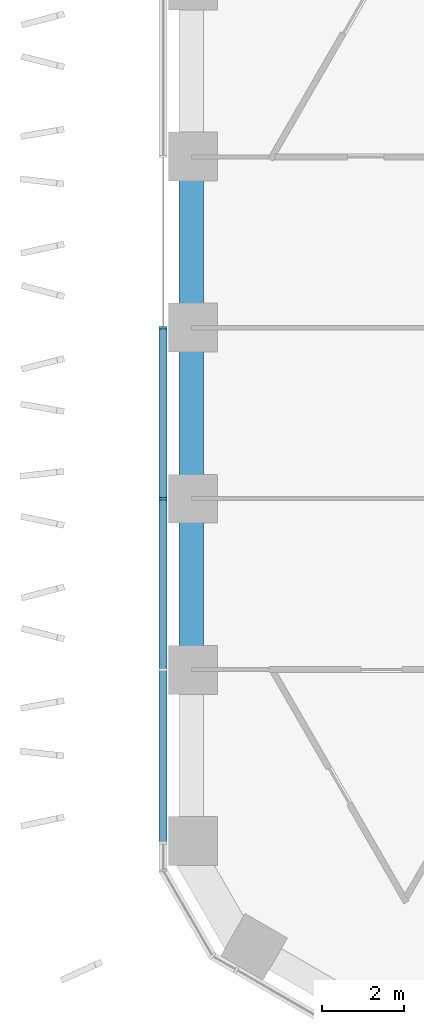
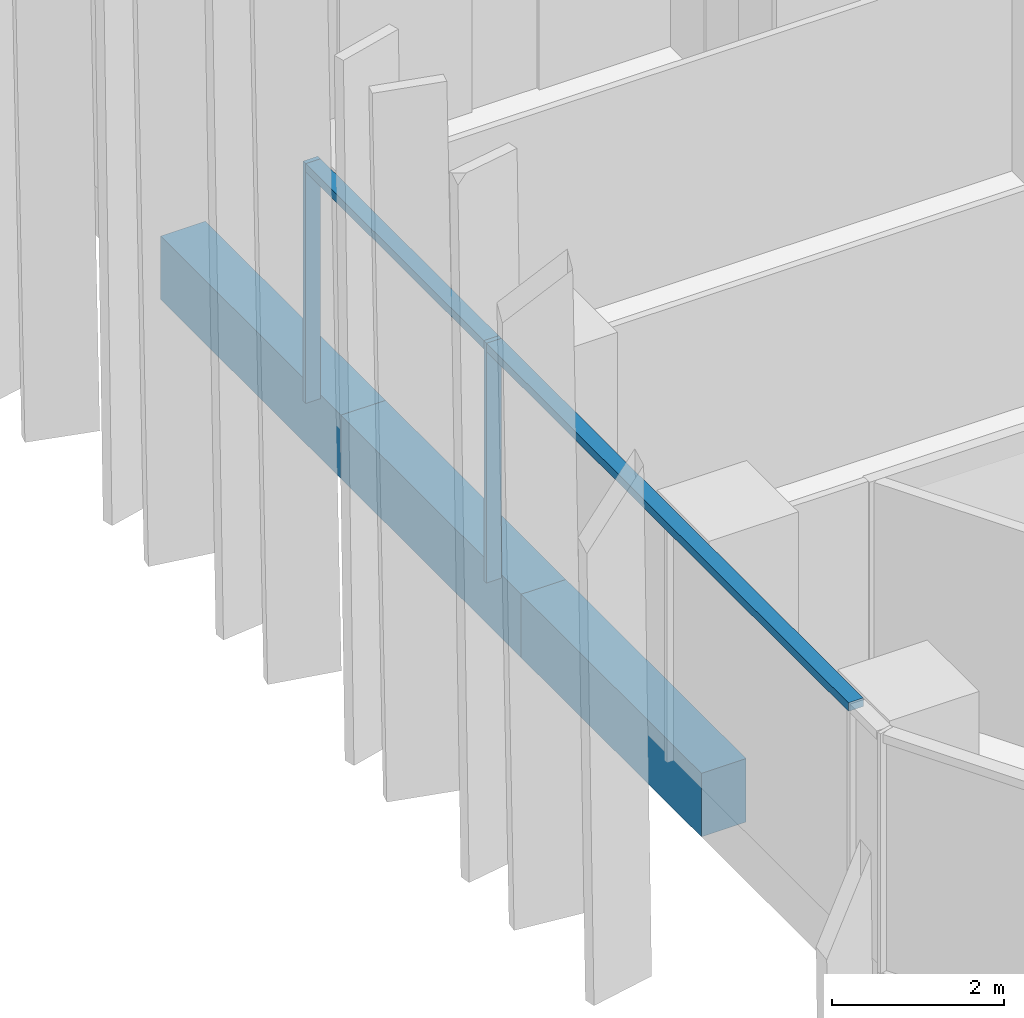
# One storey, part 4 of 19: 3 beams, 3 members, 1 element without a shape of its own.
"""IFC4 building model written with IfcOpenShell, lengths in metres."""

from ifc_helpers import new_model, si_unit, direction, frame, origin, origin_2d, place, context, subcontext, project, spatial, rectangle, extrude, material, layer, layer_set, material_profile, profile_set, type_object, element, aggregate, save


model = new_model("IFC4")

# Units and contexts
model_context = context("Model", 3, precision=1e-05, world=origin(), true_north=direction((0.0, 1.0)))
body_context = subcontext(model_context, "Body", "Model", "MODEL_VIEW")
ifc_project = project(units=[si_unit("LENGTHUNIT", "METRE"), si_unit("AREAUNIT", "SQUARE_METRE"), si_unit("VOLUMEUNIT", "CUBIC_METRE"), si_unit("PLANEANGLEUNIT", "RADIAN"), si_unit("MASSUNIT", "GRAM", prefix="KILO")], contexts=[model_context])

# Site, building, storey
site_placement = place(None, origin())
site = spatial("IfcSite", under=ifc_project, at=site_placement, CompositionType="ELEMENT")
building_placement = place(site_placement, origin())
building = spatial("IfcBuilding", under=site, at=building_placement, Name="Ayvan Gate Tower", CompositionType="ELEMENT")
storey_placement = place(building_placement, frame((0.0, 0.0, 45.89990234375)))
storey = spatial("IfcBuildingStorey", under=building, at=storey_placement, Name="L11", CompositionType="ELEMENT", Elevation=45.89990234375)

# Beams
ifc_material_1 = material(Name="Concrete C40/50", Category="concrete")
ifc_material_profile_1 = material_profile(ifc_material_1, rectangle(XDim=0.60009765625, YDim=0.89990234375, at=origin_2d()), Name="RC 600x900")
ifc_profile_set_1 = profile_set([ifc_material_profile_1], Name="Concrete C40/50")
beam_type = type_object("IfcBeamType", Name="Spandrel beam RC 600x900 C40/50", PredefinedType="BEAM", material=ifc_profile_set_1)
beam_1_placement = place(storey_placement, frame((-20.4423828125, 6.279296875, -0.7998046875), z_axis=(0.0, -1.0, 0.0), x_axis=(1.0, 0.0, 0.0)))
element("IfcBeam", 1, at=beam_1_placement, inside=storey, type_object=beam_type, Name="SB-L11-20", PredefinedType="BEAM", context=body_context, shape_type="SweptSolid", body=[
    extrude(rectangle(XDim=0.60009765625, YDim=0.89990234375, at=origin_2d()), origin(), (0.0, 0.0, 1.0), 4.186279296875),
])
beam_2_placement = place(storey_placement, frame((-20.4423828125, 2.093017578125, -0.7998046875), z_axis=(0.0, -1.0, 0.0), x_axis=(1.0, 0.0, 0.0)))
element("IfcBeam", 2, at=beam_2_placement, inside=storey, type_object=beam_type, Name="SB-L11-21", PredefinedType="BEAM", context=body_context, shape_type="SweptSolid", body=[
    extrude(rectangle(XDim=0.60009765625, YDim=0.89990234375, at=origin_2d()), origin(), (0.0, 0.0, 1.0), 4.18603515625),
])
beam_3_placement = place(storey_placement, frame((-20.4423828125, -2.093017578125, -0.7998046875), z_axis=(0.0, -1.0, 0.0), x_axis=(1.0, 0.0, 0.0)))
element("IfcBeam", 3, at=beam_3_placement, inside=storey, type_object=beam_type, Name="SB-L11-22", PredefinedType="BEAM", context=body_context, shape_type="SweptSolid", body=[
    extrude(rectangle(XDim=0.60009765625, YDim=0.89990234375, at=origin_2d()), origin(), (0.0, 0.0, 1.0), 4.186279296875),
])

# Curtain wall, members
ifc_material_2 = material(Name="Bronze anodised aluminium", Category="aluminium")
ifc_layer = layer(ifc_material_2, 0.199951171875)
ifc_layer_set = layer_set([ifc_layer], Name="Bronze anodised aluminium")
curtain_wall_type = type_object("IfcCurtainWallType", Name="Stick curtain wall CW-1", PredefinedType="NOTDEFINED", material=ifc_layer_set)
curtain_wall_placement = place(storey_placement, origin())
curtain_wall = element("IfcCurtainWall", 4, at=curtain_wall_placement, inside=storey, type_object=curtain_wall_type, Name="Stick curtain wall CW-1 L11", PredefinedType="NOTDEFINED")
ifc_material_profile_2 = material_profile(ifc_material_2, rectangle(XDim=0.199951171875, YDim=0.06005859375, at=origin_2d()), Name="Stick curtain wall CW-1 mullion 200 x 60")
ifc_profile_set_2 = profile_set([ifc_material_profile_2], Name="Bronze anodised aluminium")
member_type_1 = type_object("IfcMemberType", Name="Stick curtain wall CW-1 mullion 200 x 60", PredefinedType="MULLION", material=ifc_profile_set_2)
member_1_placement = place(storey_placement, frame((-21.12841796875, 2.09765625, 0.0), z_axis=(0.0, 0.0, 1.0), x_axis=(-1.0, 0.0, 0.0)))
member_1 = element("IfcMember", 5, at=member_1_placement, type_object=member_type_1, Name="CW-1 mullion 3", PredefinedType="MULLION", context=body_context, shape_type="SweptSolid", body=[
    extrude(rectangle(XDim=0.199951171875, YDim=0.06005859375, at=origin_2d()), origin(), (0.0, 0.0, 1.0), 3.400146484375),
])
member_2_placement = place(storey_placement, frame((-21.12841796875, -2.098388671875, 0.0), z_axis=(0.0, 0.0, 1.0), x_axis=(-1.0, 0.0, 0.0)))
member_2 = element("IfcMember", 6, at=member_2_placement, type_object=member_type_1, Name="CW-1 mullion 4", PredefinedType="MULLION", context=body_context, shape_type="SweptSolid", body=[
    extrude(rectangle(XDim=0.199951171875, YDim=0.06005859375, at=origin_2d()), origin(), (0.0, 0.0, 1.0), 3.400146484375),
])
ifc_material_profile_3 = material_profile(ifc_material_2, rectangle(XDim=0.199951171875, YDim=0.1201171875, at=origin_2d()), Name="Stick curtain wall CW-1 transom 200 x 120")
ifc_profile_set_3 = profile_set([ifc_material_profile_3], Name="Bronze anodised aluminium")
member_type_2 = type_object("IfcMemberType", Name="Stick curtain wall CW-1 transom 200 x 120", PredefinedType="USERDEFINED", material=ifc_profile_set_3)
member_3_placement = place(storey_placement, frame((-21.12841796875, 2.067626953125, 3.340087890625), z_axis=(0.0, -1.0, 0.0), x_axis=(1.0, 0.0, 0.0)))
member_3 = element("IfcMember", 7, at=member_3_placement, type_object=member_type_2, Name="CW-1 transom 2", ObjectType="TRANSOM", PredefinedType="USERDEFINED", context=body_context, shape_type="SweptSolid", body=[
    extrude(rectangle(XDim=0.199951171875, YDim=0.1201171875, at=origin_2d()), origin(), (0.0, 0.0, 1.0), 12.603271484375),
])
aggregate(curtain_wall, [member_1, member_2, member_3])

save(model, "model.ifc")
